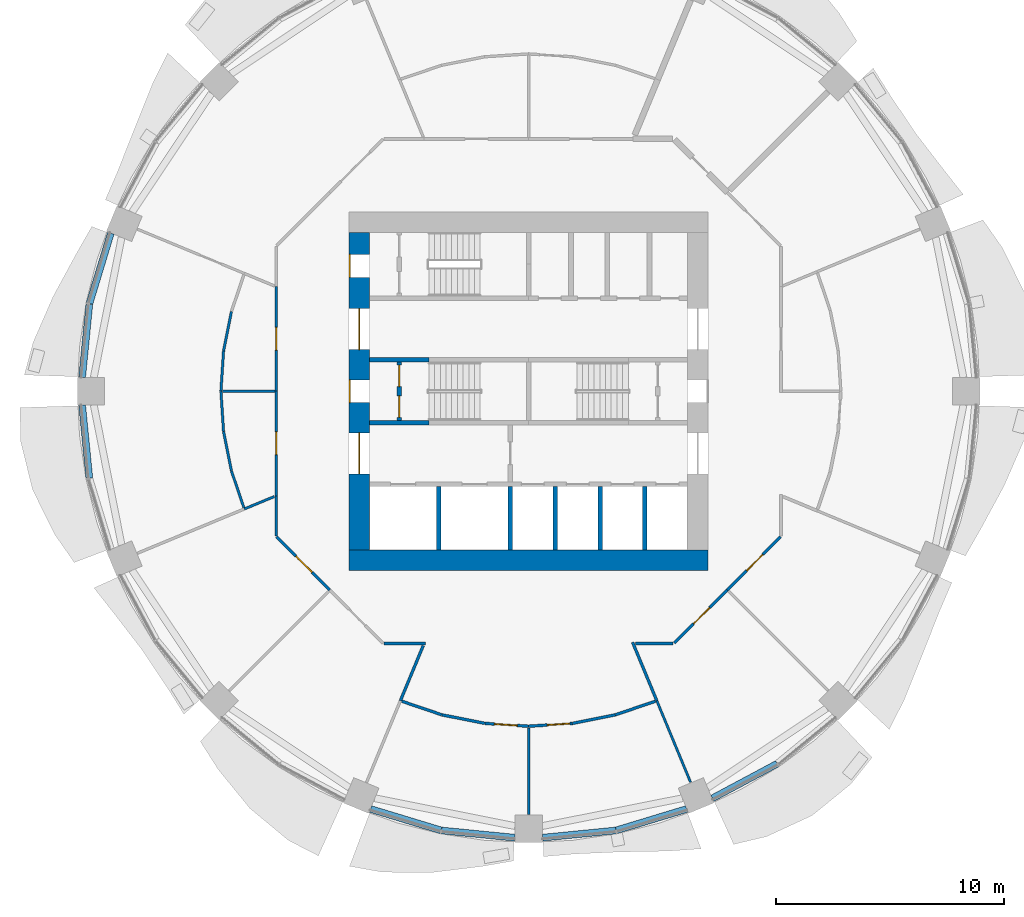
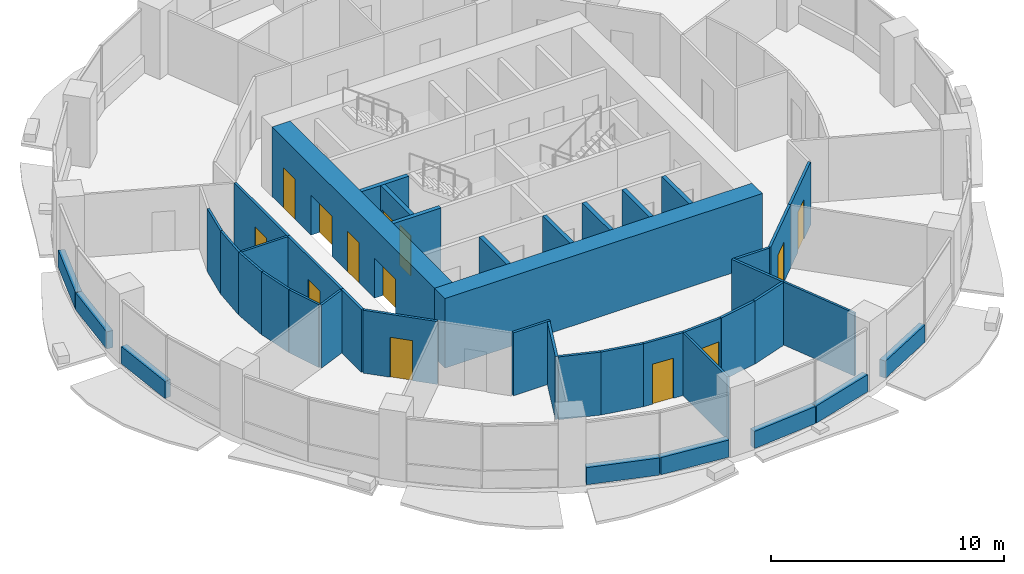
# One storey, part 8 of 15: 43 walls, 13 doors, 13 openings.
"""IFC4 building model written with IfcOpenShell, lengths in metres."""

from ifc_helpers import new_model, si_unit, direction, frame, frame_2d, origin, place, context, subcontext, project, spatial, rectangle, extrude, material, layer, layer_set, type_object, element, fill, save


model = new_model("IFC4")

# Units and contexts
model_context = context("Model", 3, precision=1e-05, world=origin(), true_north=direction((0.0, 1.0)))
body_context = subcontext(model_context, "Body", "Model", "MODEL_VIEW")
ifc_project = project(units=[si_unit("LENGTHUNIT", "METRE"), si_unit("AREAUNIT", "SQUARE_METRE"), si_unit("VOLUMEUNIT", "CUBIC_METRE"), si_unit("PLANEANGLEUNIT", "RADIAN"), si_unit("MASSUNIT", "GRAM", prefix="KILO")], contexts=[model_context])

# Site, building, storey
site_placement = place(None, origin())
site = spatial("IfcSite", under=ifc_project, at=site_placement, CompositionType="ELEMENT")
building_placement = place(site_placement, origin())
building = spatial("IfcBuilding", under=site, at=building_placement, Name="Polderwave Tower", CompositionType="ELEMENT")
storey_placement = place(building_placement, frame((0.0, 0.0, 26.199951171875)))
storey = spatial("IfcBuildingStorey", under=building, at=storey_placement, Name="L06", CompositionType="ELEMENT", Elevation=26.199951171875)

# Wall
ifc_material_1 = material(Name="Concrete C80/95", Category="concrete")
ifc_layer_1 = layer(ifc_material_1, 0.89990234375)
ifc_layer_set_1 = layer_set([ifc_layer_1], Name="CORE WALL 900 C80/95")
wall_type_1 = type_object("IfcWallType", Name="CORE WALL 900 C80/95", PredefinedType="SHEAR", material=ifc_layer_set_1)
wall_1_placement = place(storey_placement, frame((-7.8740234375, -7.424072265625, 0.0), z_axis=(0.0, 0.0, 1.0), x_axis=(1.0, 0.0, 0.0)))
element("IfcWall", 1, at=wall_1_placement, inside=storey, type_object=wall_type_1, Name="ST-CORE-L06-S", PredefinedType="SHEAR", context=body_context, shape_type="SweptSolid", body=[
    extrude(rectangle(XDim=15.748046875, YDim=0.89990234375, at=frame_2d((7.8740234375, 0.0))), origin(), (0.0, 0.0, 1.0), 3.650146484375),
])

# Wall, openings, doors
wall_2_placement = place(storey_placement, frame((-7.424072265625, -6.97412109375, 0.0), z_axis=(0.0, 0.0, 1.0), x_axis=(0.0, 1.0, 0.0)))
wall_2 = element("IfcWall", 2, at=wall_2_placement, inside=storey, type_object=wall_type_1, Name="ST-CORE-L06-W", PredefinedType="SHEAR", context=body_context, shape_type="SweptSolid", body=[
    extrude(rectangle(XDim=13.9482421875, YDim=0.89990234375, at=frame_2d((6.97412109375, 0.0))), origin(), (0.0, 0.0, 1.0), 3.650146484375),
])
opening_1_placement = place(wall_2_placement, frame((6.47412109375, 0.0, 0.0)))
opening_1 = element("IfcOpeningElement", 3, at=opening_1_placement, cuts=wall_2, Name="Opening L06-D18", PredefinedType="OPENING", context=body_context, shape_type="SweptSolid", body=[
    extrude(rectangle(XDim=1.0, YDim=2.10009765625, at=frame_2d((0.5, 1.050048828125))), frame((0.0, 0.4599609375, 0.0), z_axis=(0.0, -1.0, 0.0), x_axis=(1.0, 0.0, 0.0)), (0.0, 0.0, 1.0), 0.919921875),
])
opening_2_placement = place(wall_2_placement, frame((3.349609375, 0.0, 0.0)))
opening_2 = element("IfcOpeningElement", 4, at=opening_2_placement, cuts=wall_2, Name="Opening L06-D19", PredefinedType="OPENING", context=body_context, shape_type="SweptSolid", body=[
    extrude(rectangle(XDim=1.800048828125, YDim=2.10009765625, at=frame_2d((0.89990234375, 1.050048828125))), frame((0.0, 0.4599609375, 0.0), z_axis=(0.0, -1.0, 0.0), x_axis=(1.0, 0.0, 0.0)), (0.0, 0.0, 1.0), 0.919921875),
])
opening_3_placement = place(wall_2_placement, frame((8.798583984375, 0.0, 0.0)))
opening_3 = element("IfcOpeningElement", 5, at=opening_3_placement, cuts=wall_2, Name="Opening L06-D20", PredefinedType="OPENING", context=body_context, shape_type="SweptSolid", body=[
    extrude(rectangle(XDim=1.800048828125, YDim=2.10009765625, at=frame_2d((0.89990234375, 1.050048828125))), frame((0.0, 0.4599609375, 0.0), z_axis=(0.0, -1.0, 0.0), x_axis=(1.0, 0.0, 0.0)), (0.0, 0.0, 1.0), 0.919921875),
])
opening_4_placement = place(wall_2_placement, frame((11.97412109375, 0.0, 0.0)))
opening_4 = element("IfcOpeningElement", 6, at=opening_4_placement, cuts=wall_2, Name="Opening L06-D21", PredefinedType="OPENING", context=body_context, shape_type="SweptSolid", body=[
    extrude(rectangle(XDim=1.0, YDim=2.10009765625, at=frame_2d((0.5, 1.050048828125))), frame((0.0, 0.4599609375, 0.0), z_axis=(0.0, -1.0, 0.0), x_axis=(1.0, 0.0, 0.0)), (0.0, 0.0, 1.0), 0.919921875),
])
ifc_material_2 = material(Name="Steel fire door", Category="steel")
door_type_1 = type_object("IfcDoorType", Name="Lobby entry door pair 1800", OperationType="DOUBLE_DOOR_SINGLE_SWING", PredefinedType="DOOR", material=ifc_material_2)
door_1_placement = place(opening_2_placement, origin())
door_1 = element("IfcDoor", 7, at=door_1_placement, inside=storey, type_object=door_type_1, Name="Fire-fighting lobby entry door", OperationType="DOUBLE_DOOR_SINGLE_SWING", OverallHeight=2.10009765625, OverallWidth=1.800048828125, PredefinedType="DOOR", context=body_context, shape_type="SweptSolid", body=[
    extrude(rectangle(XDim=1.800048828125, YDim=2.10009765625, at=frame_2d((0.89990234375, 1.050048828125))), frame((0.0, 0.02490234375, 0.0), z_axis=(0.0, -1.0, 0.0), x_axis=(1.0, 0.0, 0.0)), (0.0, 0.0, 1.0), 0.050048828125),
])
fill(opening_2, door_1)
door_2_placement = place(opening_3_placement, origin())
door_2 = element("IfcDoor", 8, at=door_2_placement, inside=storey, type_object=door_type_1, Name="North lobby entry door", OperationType="DOUBLE_DOOR_SINGLE_SWING", OverallHeight=2.10009765625, OverallWidth=1.800048828125, PredefinedType="DOOR", context=body_context, shape_type="SweptSolid", body=[
    extrude(rectangle(XDim=1.800048828125, YDim=2.10009765625, at=frame_2d((0.89990234375, 1.050048828125))), frame((0.0, 0.02490234375, 0.0), z_axis=(0.0, -1.0, 0.0), x_axis=(1.0, 0.0, 0.0)), (0.0, 0.0, 1.0), 0.050048828125),
])
fill(opening_3, door_2)
door_type_2 = type_object("IfcDoorType", Name="Stair door 1000", OperationType="NOTDEFINED", PredefinedType="DOOR", material=ifc_material_2)
door_3_placement = place(opening_1_placement, origin())
door_3 = element("IfcDoor", 9, at=door_3_placement, inside=storey, type_object=door_type_2, Name="Stair A entry door", OperationType="SINGLE_SWING_RIGHT", OverallHeight=2.10009765625, OverallWidth=1.0, PredefinedType="DOOR", context=body_context, shape_type="SweptSolid", body=[
    extrude(rectangle(XDim=1.0, YDim=2.10009765625, at=frame_2d((0.5, 1.050048828125))), frame((0.0, 0.4501953125, 0.0), z_axis=(0.0, -1.0, 0.0), x_axis=(1.0, 0.0, 0.0)), (0.0, 0.0, 1.0), 0.050048828125),
])
fill(opening_1, door_3)
door_4_placement = place(opening_4_placement, origin())
door_4 = element("IfcDoor", 10, at=door_4_placement, inside=storey, type_object=door_type_2, Name="Stair C entry door", OperationType="SINGLE_SWING_RIGHT", OverallHeight=2.10009765625, OverallWidth=1.0, PredefinedType="DOOR", context=body_context, shape_type="SweptSolid", body=[
    extrude(rectangle(XDim=1.0, YDim=2.10009765625, at=frame_2d((0.5, 1.050048828125))), frame((0.0, 0.4501953125, 0.0), z_axis=(0.0, -1.0, 0.0), x_axis=(1.0, 0.0, 0.0)), (0.0, 0.0, 1.0), 0.050048828125),
])
fill(opening_4, door_4)

# Walls
ifc_material_3 = material(Name="Concrete C50/60 (board-marked)", Category="concrete")
ifc_layer_2 = layer(ifc_material_3, 0.300048828125)
ifc_layer_set_2 = layer_set([ifc_layer_2], Name="Concrete spandrel upstand C50/60")
wall_type_2 = type_object("IfcWallType", Name="Concrete spandrel upstand C50/60", PredefinedType="SOLIDWALL", material=ifc_layer_set_2)
for number, where, z_axis, x_axis, name in (
    (11, (-18.33251953125, 6.9296875, 0.0), (0.0, 0.0, 1.0), (-0.290301899131, -0.956935111364, 0.0), "Spandrel L06 8a"),
    (12, (-19.2734375, 3.818115234375, 0.0), (0.0, 0.0, 1.0), (-0.09816025243, -0.995170620971, 0.0), "Spandrel L06 8b"),
    (13, (-19.589599609375, -0.61279296875, 0.0), (0.0, 0.0, 1.0), (0.09816025243, -0.995170620971, 0.0), "Spandrel L06 9a"),
    (14, (-6.9296875, -18.33251953125, 0.0), (0.0, 0.0, 1.0), (0.956935111364, -0.290301899131, 0.0), "Spandrel L06 12a"),
    (15, (-3.818115234375, -19.2734375, 0.0), (0.0, 0.0, 1.0), (0.995170620971, -0.09816025243, 0.0), "Spandrel L06 12b"),
    (16, (0.61279296875, -19.589599609375, 0.0), (0.0, 0.0, 1.0), (0.995170620971, 0.09816025243, 0.0), "Spandrel L06 13a"),
    (17, (3.847412109375, -19.267578125, 0.0), (0.0, 0.0, 1.0), (0.956935111364, 0.290301899131, 0.0), "Spandrel L06 13b"),
):
    element("IfcWall", number, at=place(storey_placement, frame(where, z_axis=z_axis, x_axis=x_axis)), inside=storey, type_object=wall_type_2, Name=name, PredefinedType="SOLIDWALL", context=body_context, shape_type="SweptSolid", body=[
        extrude(rectangle(XDim=3.220947265625, YDim=0.300048828125, at=frame_2d((1.6103515625, 0.0))), origin(), (0.0, 0.0, 1.0), 0.900146484375),
    ])
wall_3_placement = place(storey_placement, frame((8.063232421875, -17.86279296875, 0.0), z_axis=(0.0, 0.0, 1.0), x_axis=(0.882016961449, 0.471217656413, 0.0)))
element("IfcWall", 18, at=wall_3_placement, inside=storey, type_object=wall_type_2, Name="Spandrel L06 14a", PredefinedType="SOLIDWALL", context=body_context, shape_type="SweptSolid", body=[
    extrude(rectangle(XDim=3.220458984375, YDim=0.300048828125, at=frame_2d((1.6103515625, 0.0))), origin(), (0.0, 0.0, 1.0), 0.900146484375),
])

# Wall, openings, doors
ifc_material_4 = material(Name="Gypsum board partition")
ifc_layer_3 = layer(ifc_material_4, 0.199951171875)
ifc_layer_set_3 = layer_set([ifc_layer_3], Name="Core room partition 200")
wall_type_3 = type_object("IfcWallType", Name="Core room partition 200", PredefinedType="PARTITIONING", material=ifc_layer_set_3)
wall_4_placement = place(storey_placement, frame((-5.674072265625, -1.27490234375, 0.0), z_axis=(0.0, 0.0, 1.0), x_axis=(0.0, 1.0, 0.0)))
wall_4 = element("IfcWall", 19, at=wall_4_placement, inside=storey, type_object=wall_type_3, Name="L06 smoke lobby wall A", PredefinedType="PARTITIONING", context=body_context, shape_type="SweptSolid", body=[
    extrude(rectangle(XDim=2.5498046875, YDim=0.199951171875, at=frame_2d((1.27490234375, 0.0))), origin(), (0.0, 0.0, 1.0), 3.300048828125),
])
opening_5_placement = place(wall_4_placement, frame((0.125, 0.0, 0.0)))
opening_5 = element("IfcOpeningElement", 20, at=opening_5_placement, cuts=wall_4, Name="Opening L06-D07", PredefinedType="OPENING", context=body_context, shape_type="SweptSolid", body=[
    extrude(rectangle(XDim=0.949951171875, YDim=2.10009765625, at=frame_2d((0.47509765625, 1.050048828125))), frame((0.0, 0.10986328125, 0.0), z_axis=(0.0, -1.0, 0.0), x_axis=(1.0, 0.0, 0.0)), (0.0, 0.0, 1.0), 0.219970703125),
])
opening_6_placement = place(wall_4_placement, frame((1.47509765625, 0.0, 0.0)))
opening_6 = element("IfcOpeningElement", 21, at=opening_6_placement, cuts=wall_4, Name="Opening L06-D08", PredefinedType="OPENING", context=body_context, shape_type="SweptSolid", body=[
    extrude(rectangle(XDim=0.949951171875, YDim=2.10009765625, at=frame_2d((0.47509765625, 1.050048828125))), frame((0.0, 0.10986328125, 0.0), z_axis=(0.0, -1.0, 0.0), x_axis=(1.0, 0.0, 0.0)), (0.0, 0.0, 1.0), 0.219970703125),
])
door_type_3 = type_object("IfcDoorType", Name="Smoke lobby door 950", OperationType="NOTDEFINED", PredefinedType="DOOR", material=ifc_material_2)
door_5_placement = place(opening_5_placement, origin())
door_5 = element("IfcDoor", 22, at=door_5_placement, inside=storey, type_object=door_type_3, Name="Stair A smoke lobby inner door", OperationType="SINGLE_SWING_LEFT", OverallHeight=2.10009765625, OverallWidth=0.949951171875, PredefinedType="DOOR", context=body_context, shape_type="SweptSolid", body=[
    extrude(rectangle(XDim=0.949951171875, YDim=2.10009765625, at=frame_2d((0.47509765625, 1.050048828125))), frame((0.0, 0.02490234375, 0.0), z_axis=(0.0, -1.0, 0.0), x_axis=(1.0, 0.0, 0.0)), (0.0, 0.0, 1.0), 0.050048828125),
])
fill(opening_5, door_5)
door_6_placement = place(opening_6_placement, origin())
door_6 = element("IfcDoor", 23, at=door_6_placement, inside=storey, type_object=door_type_3, Name="Stair A smoke lobby inner door", OperationType="SINGLE_SWING_RIGHT", OverallHeight=2.10009765625, OverallWidth=0.949951171875, PredefinedType="DOOR", context=body_context, shape_type="SweptSolid", body=[
    extrude(rectangle(XDim=0.949951171875, YDim=2.10009765625, at=frame_2d((0.47509765625, 1.050048828125))), frame((0.0, 0.02490234375, 0.0), z_axis=(0.0, -1.0, 0.0), x_axis=(1.0, 0.0, 0.0)), (0.0, 0.0, 1.0), 0.050048828125),
])
fill(opening_6, door_6)

# Walls
ifc_material_5 = material(Name="Concrete C50/60", Category="concrete")
ifc_layer_4 = layer(ifc_material_5, 0.199951171875)
ifc_layer_set_4 = layer_set([ifc_layer_4], Name="Core web wall 200")
wall_type_4 = type_object("IfcWallType", Name="Core web wall 200", PredefinedType="SHEAR", material=ifc_layer_set_4)
for number, where, z_axis, x_axis, name in (
    (24, (-6.97412109375, -1.375, 0.0), (0.0, 0.0, 1.0), (1.0, 0.0, 0.0), "L06 south stair wall 1"),
    (25, (-6.97412109375, 1.375, 0.0), (0.0, 0.0, 1.0), (1.0, 0.0, 0.0), "L06 north stair wall 1"),
):
    element("IfcWall", number, at=place(storey_placement, frame(where, z_axis=z_axis, x_axis=x_axis)), inside=storey, type_object=wall_type_4, Name=name, PredefinedType="SHEAR", context=body_context, shape_type="SweptSolid", body=[
        extrude(rectangle(XDim=2.60009765625, YDim=0.199951171875, at=frame_2d((1.300048828125, 0.0))), origin(), (0.0, 0.0, 1.0), 3.300048828125),
    ])

# Wall, opening, door
ifc_material_6 = material(Name="Fire-resisting board on steel studs", Category="steel")
ifc_layer_5 = layer(ifc_material_6, 0.125)
ifc_layer_set_5 = layer_set([ifc_layer_5], Name="Corridor wall 125 mm EI 60")
wall_type_5 = type_object("IfcWallType", Name="Corridor wall 125 mm EI 60", PredefinedType="PARTITIONING", material=ifc_layer_set_5)
wall_5_placement = place(storey_placement, frame((11.0556640625, -6.389404296875, 0.0), z_axis=(0.0, 0.0, 1.0), x_axis=(-0.707143776336, -0.707069784102, 0.0)))
wall_5 = element("IfcWall", 26, at=wall_5_placement, inside=storey, type_object=wall_type_5, Name="IN-L06-W004", PredefinedType="PARTITIONING", context=body_context, shape_type="SweptSolid", body=[
    extrude(rectangle(XDim=3.299560546875, YDim=0.125, at=frame_2d((1.64990234375, 0.0))), origin(), (0.0, 0.0, 1.0), 3.300048828125),
])
opening_7_placement = place(wall_5_placement, frame((1.10009765625, 0.0, 0.0)))
opening_7 = element("IfcOpeningElement", 27, at=opening_7_placement, cuts=wall_5, Name="Opening L06-D52", PredefinedType="OPENING", context=body_context, shape_type="SweptSolid", body=[
    extrude(rectangle(XDim=1.0, YDim=2.10009765625, at=frame_2d((0.5, 1.050048828125))), frame((0.0, 0.072509765625, 0.0), z_axis=(0.0, -1.0, 0.0), x_axis=(1.0, 0.0, 0.0)), (0.0, 0.0, 1.0), 0.14501953125),
])
ifc_material_7 = material(Name="Timber fire door leaf", Category="wood")
door_type_4 = type_object("IfcDoorType", Name="Fire door FD30S 1000 x 2100", OperationType="NOTDEFINED", PredefinedType="DOOR", material=ifc_material_7)
door_7_placement = place(opening_7_placement, origin())
door_7 = element("IfcDoor", 28, at=door_7_placement, inside=storey, type_object=door_type_4, Name="Door L06-D52", OperationType="SINGLE_SWING_LEFT", OverallHeight=2.10009765625, OverallWidth=1.0, PredefinedType="DOOR", context=body_context, shape_type="SweptSolid", body=[
    extrude(rectangle(XDim=1.0, YDim=2.10009765625, at=frame_2d((0.5, 1.050048828125))), frame((0.0, 0.02490234375, 0.0), z_axis=(0.0, -1.0, 0.0), x_axis=(1.0, 0.0, 0.0)), (0.0, 0.0, 1.0), 0.050048828125),
])
fill(opening_7, door_7)

wall_6_placement = place(storey_placement, frame((-11.073974609375, 0.0, 0.0), z_axis=(0.0, 0.0, 1.0), x_axis=(0.0, 1.0, 0.0)))
wall_6 = element("IfcWall", 29, at=wall_6_placement, inside=storey, type_object=wall_type_5, Name="IN-L06-W014", PredefinedType="PARTITIONING", context=body_context, shape_type="SweptSolid", body=[
    extrude(rectangle(XDim=4.5869140625, YDim=0.125, at=frame_2d((2.29345703125, 0.0))), origin(), (0.0, 0.0, 1.0), 3.300048828125),
])
opening_8_placement = place(wall_6_placement, frame((1.800048828125, 0.0, 0.0)))
opening_8 = element("IfcOpeningElement", 30, at=opening_8_placement, cuts=wall_6, Name="Opening L06-D57", PredefinedType="OPENING", context=body_context, shape_type="SweptSolid", body=[
    extrude(rectangle(XDim=1.0, YDim=2.10009765625, at=frame_2d((0.5, 1.050048828125))), frame((0.0, 0.072509765625, 0.0), z_axis=(0.0, -1.0, 0.0), x_axis=(1.0, 0.0, 0.0)), (0.0, 0.0, 1.0), 0.14501953125),
])
door_8_placement = place(opening_8_placement, origin())
door_8 = element("IfcDoor", 31, at=door_8_placement, inside=storey, type_object=door_type_4, Name="Door L06-D57", OperationType="SINGLE_SWING_RIGHT", OverallHeight=2.10009765625, OverallWidth=1.0, PredefinedType="DOOR", context=body_context, shape_type="SweptSolid", body=[
    extrude(rectangle(XDim=1.0, YDim=2.10009765625, at=frame_2d((0.5, 1.050048828125))), frame((0.0, 0.02490234375, 0.0), z_axis=(0.0, -1.0, 0.0), x_axis=(1.0, 0.0, 0.0)), (0.0, 0.0, 1.0), 0.050048828125),
])
fill(opening_8, door_8)

wall_7_placement = place(storey_placement, frame((-11.073974609375, -4.5869140625, 0.0), z_axis=(0.0, 0.0, 1.0), x_axis=(0.0, 1.0, 0.0)))
wall_7 = element("IfcWall", 32, at=wall_7_placement, inside=storey, type_object=wall_type_5, Name="IN-L06-W015", PredefinedType="PARTITIONING", context=body_context, shape_type="SweptSolid", body=[
    extrude(rectangle(XDim=4.5869140625, YDim=0.125, at=frame_2d((2.29345703125, 0.0))), origin(), (0.0, 0.0, 1.0), 3.300048828125),
])
opening_9_placement = place(wall_7_placement, frame((1.800048828125, 0.0, 0.0)))
opening_9 = element("IfcOpeningElement", 33, at=opening_9_placement, cuts=wall_7, Name="Opening L06-D58", PredefinedType="OPENING", context=body_context, shape_type="SweptSolid", body=[
    extrude(rectangle(XDim=1.0, YDim=2.10009765625, at=frame_2d((0.5, 1.050048828125))), frame((0.0, 0.072509765625, 0.0), z_axis=(0.0, -1.0, 0.0), x_axis=(1.0, 0.0, 0.0)), (0.0, 0.0, 1.0), 0.14501953125),
])
door_9_placement = place(opening_9_placement, origin())
door_9 = element("IfcDoor", 34, at=door_9_placement, inside=storey, type_object=door_type_4, Name="Door L06-D58", OperationType="SINGLE_SWING_RIGHT", OverallHeight=2.10009765625, OverallWidth=1.0, PredefinedType="DOOR", context=body_context, shape_type="SweptSolid", body=[
    extrude(rectangle(XDim=1.0, YDim=2.10009765625, at=frame_2d((0.5, 1.050048828125))), frame((0.0, 0.02490234375, 0.0), z_axis=(0.0, -1.0, 0.0), x_axis=(1.0, 0.0, 0.0)), (0.0, 0.0, 1.0), 0.050048828125),
])
fill(opening_9, door_9)

# Wall
wall_8_placement = place(storey_placement, frame((-11.073974609375, -6.34521484375, 0.0), z_axis=(0.0, 0.0, 1.0), x_axis=(0.0, 1.0, 0.0)))
element("IfcWall", 35, at=wall_8_placement, inside=storey, type_object=wall_type_5, Name="IN-L06-W016", PredefinedType="PARTITIONING", context=body_context, shape_type="SweptSolid", body=[
    extrude(rectangle(XDim=1.75830078125, YDim=0.125, at=frame_2d((0.879150390625, 0.0))), origin(), (0.0, 0.0, 1.0), 3.300048828125),
])

# Wall, opening, door
wall_9_placement = place(storey_placement, frame((-8.722412109375, -8.722412109375, 0.0), z_axis=(0.0, 0.0, 1.0), x_axis=(-0.707143776336, 0.707069784102, 0.0)))
wall_9 = element("IfcWall", 36, at=wall_9_placement, inside=storey, type_object=wall_type_5, Name="IN-L06-W017", PredefinedType="PARTITIONING", context=body_context, shape_type="SweptSolid", body=[
    extrude(rectangle(XDim=3.299560546875, YDim=0.125, at=frame_2d((1.64990234375, 0.0))), origin(), (0.0, 0.0, 1.0), 3.300048828125),
])
opening_10_placement = place(wall_9_placement, frame((1.10009765625, 0.0, 0.0)))
opening_10 = element("IfcOpeningElement", 37, at=opening_10_placement, cuts=wall_9, Name="Opening L06-D59", PredefinedType="OPENING", context=body_context, shape_type="SweptSolid", body=[
    extrude(rectangle(XDim=1.0, YDim=2.10009765625, at=frame_2d((0.5, 1.050048828125))), frame((0.0, 0.072509765625, 0.0), z_axis=(0.0, -1.0, 0.0), x_axis=(1.0, 0.0, 0.0)), (0.0, 0.0, 1.0), 0.14501953125),
])
door_10_placement = place(opening_10_placement, origin())
door_10 = element("IfcDoor", 38, at=door_10_placement, inside=storey, type_object=door_type_4, Name="Door L06-D59", OperationType="SINGLE_SWING_LEFT", OverallHeight=2.10009765625, OverallWidth=1.0, PredefinedType="DOOR", context=body_context, shape_type="SweptSolid", body=[
    extrude(rectangle(XDim=1.0, YDim=2.10009765625, at=frame_2d((0.5, 1.050048828125))), frame((0.0, 0.02490234375, 0.0), z_axis=(0.0, -1.0, 0.0), x_axis=(1.0, 0.0, 0.0)), (0.0, 0.0, 1.0), 0.050048828125),
])
fill(opening_10, door_10)

# Walls
wall_10_placement = place(storey_placement, frame((-4.5244140625, -11.073974609375, 0.0), z_axis=(0.0, 0.0, 1.0), x_axis=(-1.0, 0.0, 0.0)))
element("IfcWall", 39, at=wall_10_placement, inside=storey, type_object=wall_type_5, Name="IN-L06-W019", PredefinedType="PARTITIONING", context=body_context, shape_type="SweptSolid", body=[
    extrude(rectangle(XDim=1.82080078125, YDim=0.125, at=frame_2d((0.910400390625, 0.0))), origin(), (0.0, 0.0, 1.0), 3.300048828125),
])
wall_11_placement = place(storey_placement, frame((6.34521484375, -11.073974609375, 0.0), z_axis=(0.0, 0.0, 1.0), x_axis=(-1.0, 0.0, 0.0)))
element("IfcWall", 40, at=wall_11_placement, inside=storey, type_object=wall_type_5, Name="IN-L06-W020", PredefinedType="PARTITIONING", context=body_context, shape_type="SweptSolid", body=[
    extrude(rectangle(XDim=1.664794921875, YDim=0.125, at=frame_2d((0.83251953125, 0.0))), origin(), (0.0, 0.0, 1.0), 3.300048828125),
])

# Wall, opening, door
wall_12_placement = place(storey_placement, frame((8.722412109375, -8.722412109375, 0.0), z_axis=(0.0, 0.0, 1.0), x_axis=(-0.707069784102, -0.707143776336, 0.0)))
wall_12 = element("IfcWall", 41, at=wall_12_placement, inside=storey, type_object=wall_type_5, Name="IN-L06-W021", PredefinedType="PARTITIONING", context=body_context, shape_type="SweptSolid", body=[
    extrude(rectangle(XDim=3.299560546875, YDim=0.125, at=frame_2d((1.64990234375, 0.0))), origin(), (0.0, 0.0, 1.0), 3.300048828125),
])
opening_11_placement = place(wall_12_placement, frame((1.10009765625, 0.0, 0.0)))
opening_11 = element("IfcOpeningElement", 42, at=opening_11_placement, cuts=wall_12, Name="Opening L06-D61", PredefinedType="OPENING", context=body_context, shape_type="SweptSolid", body=[
    extrude(rectangle(XDim=1.0, YDim=2.10009765625, at=frame_2d((0.5, 1.050048828125))), frame((0.0, 0.072509765625, 0.0), z_axis=(0.0, -1.0, 0.0), x_axis=(1.0, 0.0, 0.0)), (0.0, 0.0, 1.0), 0.14501953125),
])
door_11_placement = place(opening_11_placement, origin())
door_11 = element("IfcDoor", 43, at=door_11_placement, inside=storey, type_object=door_type_4, Name="Door L06-D61", OperationType="SINGLE_SWING_LEFT", OverallHeight=2.10009765625, OverallWidth=1.0, PredefinedType="DOOR", context=body_context, shape_type="SweptSolid", body=[
    extrude(rectangle(XDim=1.0, YDim=2.10009765625, at=frame_2d((0.5, 1.050048828125))), frame((0.0, 0.02490234375, 0.0), z_axis=(0.0, -1.0, 0.0), x_axis=(1.0, 0.0, 0.0)), (0.0, 0.0, 1.0), 0.050048828125),
])
fill(opening_11, door_11)

# Walls
wall_13_placement = place(storey_placement, frame((-4.622802734375, -11.160400390625, 0.0), z_axis=(0.0, 0.0, 1.0), x_axis=(-0.382689200876, -0.923877143095, 0.0)))
element("IfcWall", 44, at=wall_13_placement, inside=storey, type_object=wall_type_5, Name="IN-L06-W057", PredefinedType="PARTITIONING", context=body_context, shape_type="SweptSolid", body=[
    extrude(rectangle(XDim=2.6201171875, YDim=0.125, at=frame_2d((1.31005859375, 0.0))), origin(), (0.0, 0.0, 1.0), 3.300048828125),
])
wall_14_placement = place(storey_placement, frame((-5.562255859375, -13.6025390625, 0.0), z_axis=(0.0, 0.0, 1.0), x_axis=(0.946942164526, -0.321404009065, 0.0)))
element("IfcWall", 45, at=wall_14_placement, inside=storey, type_object=wall_type_5, Name="IN-L06-W058", PredefinedType="PARTITIONING", context=body_context, shape_type="SweptSolid", body=[
    extrude(rectangle(XDim=1.851806640625, YDim=0.125, at=frame_2d((0.92578125, 0.0))), origin(), (0.0, 0.0, 1.0), 3.300048828125),
])
wall_15_placement = place(storey_placement, frame((-3.800537109375, -14.199951171875, 0.0), z_axis=(0.0, 0.0, 1.0), x_axis=(0.980786108198, -0.195086160367, 0.0)))
element("IfcWall", 46, at=wall_15_placement, inside=storey, type_object=wall_type_5, Name="IN-L06-W059", PredefinedType="PARTITIONING", context=body_context, shape_type="SweptSolid", body=[
    extrude(rectangle(XDim=1.914794921875, YDim=0.125, at=frame_2d((0.95751953125, 0.0))), origin(), (0.0, 0.0, 1.0), 3.300048828125),
])

# Wall, opening, door
wall_16_placement = place(storey_placement, frame((0.0, -14.699951171875, 0.0), z_axis=(0.0, 0.0, 1.0), x_axis=(-0.997858855436, 0.065404163695, 0.0)))
wall_16 = element("IfcWall", 47, at=wall_16_placement, inside=storey, type_object=wall_type_5, Name="IN-L06-W060", PredefinedType="PARTITIONING", context=body_context, shape_type="SweptSolid", body=[
    extrude(rectangle(XDim=1.918701171875, YDim=0.125, at=frame_2d((0.95947265625, 0.0))), origin(), (0.0, 0.0, 1.0), 3.300048828125),
])
opening_12_placement = place(wall_16_placement, frame((0.5, 0.0, 0.0)))
opening_12 = element("IfcOpeningElement", 48, at=opening_12_placement, cuts=wall_16, Name="Opening L06-D65", PredefinedType="OPENING", context=body_context, shape_type="SweptSolid", body=[
    extrude(rectangle(XDim=1.0, YDim=2.10009765625, at=frame_2d((0.5, 1.050048828125))), frame((0.0, 0.072509765625, 0.0), z_axis=(0.0, -1.0, 0.0), x_axis=(1.0, 0.0, 0.0)), (0.0, 0.0, 1.0), 0.14501953125),
])
door_12_placement = place(opening_12_placement, origin())
door_12 = element("IfcDoor", 49, at=door_12_placement, inside=storey, type_object=door_type_4, Name="Door L06-D65", OperationType="SINGLE_SWING_RIGHT", OverallHeight=2.10009765625, OverallWidth=1.0, PredefinedType="DOOR", context=body_context, shape_type="SweptSolid", body=[
    extrude(rectangle(XDim=1.0, YDim=2.10009765625, at=frame_2d((0.5, 1.050048828125))), frame((0.0, 0.02490234375, 0.0), z_axis=(0.0, -1.0, 0.0), x_axis=(1.0, 0.0, 0.0)), (0.0, 0.0, 1.0), 0.050048828125),
])
fill(opening_12, door_12)

wall_17_placement = place(storey_placement, frame((1.91455078125, -14.574462890625, 0.0), z_axis=(0.0, 0.0, 1.0), x_axis=(-0.997858855436, -0.065404163695, 0.0)))
wall_17 = element("IfcWall", 50, at=wall_17_placement, inside=storey, type_object=wall_type_5, Name="IN-L06-W062", PredefinedType="PARTITIONING", context=body_context, shape_type="SweptSolid", body=[
    extrude(rectangle(XDim=1.918701171875, YDim=0.125, at=frame_2d((0.95947265625, 0.0))), origin(), (0.0, 0.0, 1.0), 3.300048828125),
])
opening_13_placement = place(wall_17_placement, frame((0.10009765625, 0.0, 0.0)))
opening_13 = element("IfcOpeningElement", 51, at=opening_13_placement, cuts=wall_17, Name="Opening L06-D66", PredefinedType="OPENING", context=body_context, shape_type="SweptSolid", body=[
    extrude(rectangle(XDim=1.0, YDim=2.10009765625, at=frame_2d((0.5, 1.050048828125))), frame((0.0, 0.072509765625, 0.0), z_axis=(0.0, -1.0, 0.0), x_axis=(1.0, 0.0, 0.0)), (0.0, 0.0, 1.0), 0.14501953125),
])
door_13_placement = place(opening_13_placement, origin())
door_13 = element("IfcDoor", 52, at=door_13_placement, inside=storey, type_object=door_type_4, Name="Door L06-D66", OperationType="SINGLE_SWING_LEFT", OverallHeight=2.10009765625, OverallWidth=1.0, PredefinedType="DOOR", context=body_context, shape_type="SweptSolid", body=[
    extrude(rectangle(XDim=1.0, YDim=2.10009765625, at=frame_2d((0.5, 1.050048828125))), frame((0.0, 0.02490234375, 0.0), z_axis=(0.0, -1.0, 0.0), x_axis=(1.0, 0.0, 0.0)), (0.0, 0.0, 1.0), 0.050048828125),
])
fill(opening_13, door_13)

# Walls
wall_18_placement = place(storey_placement, frame((3.800537109375, -14.199951171875, 0.0), z_axis=(0.0, 0.0, 1.0), x_axis=(-0.980786108198, -0.195086160367, 0.0)))
element("IfcWall", 53, at=wall_18_placement, inside=storey, type_object=wall_type_5, Name="IN-L06-W063", PredefinedType="PARTITIONING", context=body_context, shape_type="SweptSolid", body=[
    extrude(rectangle(XDim=1.914794921875, YDim=0.125, at=frame_2d((0.95751953125, 0.0))), origin(), (0.0, 0.0, 1.0), 3.300048828125),
])
wall_19_placement = place(storey_placement, frame((5.562255859375, -13.6025390625, 0.0), z_axis=(0.0, 0.0, 1.0), x_axis=(-0.946942164526, -0.321404009065, 0.0)))
element("IfcWall", 54, at=wall_19_placement, inside=storey, type_object=wall_type_5, Name="IN-L06-W064", PredefinedType="PARTITIONING", context=body_context, shape_type="SweptSolid", body=[
    extrude(rectangle(XDim=1.851806640625, YDim=0.125, at=frame_2d((0.92578125, 0.0))), origin(), (0.0, 0.0, 1.0), 3.300048828125),
])
wall_20_placement = place(storey_placement, frame((4.56298828125, -11.016357421875, 0.0), z_axis=(0.0, 0.0, 1.0), x_axis=(0.382734966231, -0.923858184801, 0.0)))
element("IfcWall", 55, at=wall_20_placement, inside=storey, type_object=wall_type_5, Name="IN-L06-W065", PredefinedType="PARTITIONING", context=body_context, shape_type="SweptSolid", body=[
    extrude(rectangle(XDim=2.776123046875, YDim=0.125, at=frame_2d((1.38818359375, 0.0))), origin(), (0.0, 0.0, 1.0), 3.300048828125),
])
ifc_material_8 = material(Name="Moisture-resistant board on steel studs, tiled", Category="steel")
ifc_layer_6 = layer(ifc_material_8, 0.10498046875)
ifc_layer_set_6 = layer_set([ifc_layer_6], Name="Partition 105 mm wet room board and tile")
wall_type_6 = type_object("IfcWallType", Name="Partition 105 mm wet room board and tile", PredefinedType="PARTITIONING", material=ifc_layer_set_6)
wall_21_placement = place(storey_placement, frame((5.62548828125, -13.5810546875, 0.0), z_axis=(0.0, 0.0, 1.0), x_axis=(0.382674944996, -0.923883048049, 0.0)))
element("IfcWall", 56, at=wall_21_placement, inside=storey, type_object=wall_type_6, Name="IN-L06-W066", PredefinedType="PARTITIONING", context=body_context, shape_type="SweptSolid", body=[
    extrude(rectangle(XDim=3.8701171875, YDim=0.10498046875, at=frame_2d((1.93505859375, 0.0))), origin(), (0.0, 0.0, 1.0), 3.300048828125),
])
ifc_material_9 = material(Name="Acoustic double plasterboard on steel studs", Category="steel")
ifc_layer_7 = layer(ifc_material_9, 0.110107421875)
ifc_layer_set_7 = layer_set([ifc_layer_7], Name="Partition 110 mm acoustic double board")
wall_type_7 = type_object("IfcWallType", Name="Partition 110 mm acoustic double board", PredefinedType="PARTITIONING", material=ifc_layer_set_7)
wall_22_placement = place(storey_placement, frame((-13.5, 0.0, 0.0), z_axis=(0.0, 0.0, 1.0), x_axis=(0.065388016002, 0.997859913697, 0.0)))
element("IfcWall", 57, at=wall_22_placement, inside=storey, type_object=wall_type_7, Name="IN-L06-W046", PredefinedType="PARTITIONING", context=body_context, shape_type="SweptSolid", body=[
    extrude(rectangle(XDim=1.76220703125, YDim=0.110107421875, at=frame_2d((0.881103515625, 0.0))), origin(), (0.0, 0.0, 1.0), 3.300048828125),
])
wall_23_placement = place(storey_placement, frame((-13.3837890625, 1.765625, 0.0), z_axis=(0.0, 0.0, 1.0), x_axis=(0.195048139623, 0.98079367006, 0.0)))
element("IfcWall", 58, at=wall_23_placement, inside=storey, type_object=wall_type_7, Name="IN-L06-W047", PredefinedType="PARTITIONING", context=body_context, shape_type="SweptSolid", body=[
    extrude(rectangle(XDim=1.758544921875, YDim=0.110107421875, at=frame_2d((0.87939453125, 0.0))), origin(), (0.0, 0.0, 1.0), 3.300048828125),
])
wall_24_placement = place(storey_placement, frame((-11.136474609375, 0.0, 0.0), z_axis=(0.0, 0.0, 1.0), x_axis=(-1.0, 0.0, 0.0)))
element("IfcWall", 59, at=wall_24_placement, inside=storey, type_object=wall_type_7, Name="IN-L06-W049", PredefinedType="PARTITIONING", context=body_context, shape_type="SweptSolid", body=[
    extrude(rectangle(XDim=2.304931640625, YDim=0.110107421875, at=frame_2d((1.15234375, 0.0))), origin(), (0.0, 0.0, 1.0), 3.300048828125),
])
wall_25_placement = place(storey_placement, frame((-13.5, 0.0, 0.0), z_axis=(0.0, 0.0, 1.0), x_axis=(0.065388016002, -0.997859913697, 0.0)))
element("IfcWall", 60, at=wall_25_placement, inside=storey, type_object=wall_type_7, Name="IN-L06-W050", PredefinedType="PARTITIONING", context=body_context, shape_type="SweptSolid", body=[
    extrude(rectangle(XDim=1.76220703125, YDim=0.110107421875, at=frame_2d((0.881103515625, 0.0))), origin(), (0.0, 0.0, 1.0), 3.300048828125),
])
wall_26_placement = place(storey_placement, frame((-13.3837890625, -1.765625, 0.0), z_axis=(0.0, 0.0, 1.0), x_axis=(0.195048139623, -0.98079367006, 0.0)))
element("IfcWall", 61, at=wall_26_placement, inside=storey, type_object=wall_type_7, Name="IN-L06-W051", PredefinedType="PARTITIONING", context=body_context, shape_type="SweptSolid", body=[
    extrude(rectangle(XDim=1.758544921875, YDim=0.110107421875, at=frame_2d((0.87939453125, 0.0))), origin(), (0.0, 0.0, 1.0), 3.300048828125),
])
wall_27_placement = place(storey_placement, frame((-13.038818359375, -3.49755859375, 0.0), z_axis=(0.0, 0.0, 1.0), x_axis=(0.3214684719, -0.946920282587, 0.0)))
element("IfcWall", 62, at=wall_27_placement, inside=storey, type_object=wall_type_7, Name="IN-L06-W052", PredefinedType="PARTITIONING", context=body_context, shape_type="SweptSolid", body=[
    extrude(rectangle(XDim=1.703369140625, YDim=0.110107421875, at=frame_2d((0.8515625, 0.0))), origin(), (0.0, 0.0, 1.0), 3.300048828125),
])
wall_28_placement = place(storey_placement, frame((-11.157470703125, -4.62158203125, 0.0), z_axis=(0.0, 0.0, 1.0), x_axis=(-0.923876757744, -0.382690131178, 0.0)))
element("IfcWall", 63, at=wall_28_placement, inside=storey, type_object=wall_type_7, Name="IN-L06-W054", PredefinedType="PARTITIONING", context=body_context, shape_type="SweptSolid", body=[
    extrude(rectangle(XDim=1.42333984375, YDim=0.110107421875, at=frame_2d((0.711669921875, 0.0))), origin(), (0.0, 0.0, 1.0), 3.300048828125),
])
wall_29_placement = place(storey_placement, frame((0.0, -14.76611328125, 0.0), z_axis=(0.0, 0.0, 1.0), x_axis=(0.0, -1.0, 0.0)))
element("IfcWall", 64, at=wall_29_placement, inside=storey, type_object=wall_type_7, Name="IN-L06-W061", PredefinedType="PARTITIONING", context=body_context, shape_type="SweptSolid", body=[
    extrude(rectangle(XDim=3.803955078125, YDim=0.110107421875, at=frame_2d((1.90185546875, 0.0))), origin(), (0.0, 0.0, 1.0), 3.300048828125),
])
ifc_material_10 = material(Name="Gypsum shaft wall system")
ifc_layer_8 = layer(ifc_material_10, 0.199951171875)
ifc_layer_set_8 = layer_set([ifc_layer_8], Name="Shaft wall 200")
wall_type_8 = type_object("IfcWallType", Name="Shaft wall 200", PredefinedType="PARTITIONING", material=ifc_layer_set_8)
for number, where, z_axis, x_axis, name in (
    (65, (-3.93701171875, -6.97412109375, 0.0), (0.0, 0.0, 1.0), (0.0, 1.0, 0.0), "L06 fire-fighting shaft wall 1"),
    (66, (-0.800048828125, -6.97412109375, 0.0), (0.0, 0.0, 1.0), (0.0, 1.0, 0.0), "L06 fire-fighting shaft wall 2"),
    (67, (1.16845703125, -6.97412109375, 0.0), (0.0, 0.0, 1.0), (0.0, 1.0, 0.0), "L06 lift shaft wall 1"),
    (68, (3.136962890625, -6.97412109375, 0.0), (0.0, 0.0, 1.0), (0.0, 1.0, 0.0), "L06 lift shaft wall 2"),
    (69, (5.10546875, -6.97412109375, 0.0), (0.0, 0.0, 1.0), (0.0, 1.0, 0.0), "L06 lift shaft wall 3"),
):
    element("IfcWall", number, at=place(storey_placement, frame(where, z_axis=z_axis, x_axis=x_axis)), inside=storey, type_object=wall_type_8, Name=name, PredefinedType="PARTITIONING", context=body_context, shape_type="SweptSolid", body=[
        extrude(rectangle(XDim=2.800048828125, YDim=0.199951171875, at=frame_2d((1.39990234375, 0.0))), origin(), (0.0, 0.0, 1.0), 3.300048828125),
    ])

save(model, "model.ifc")
